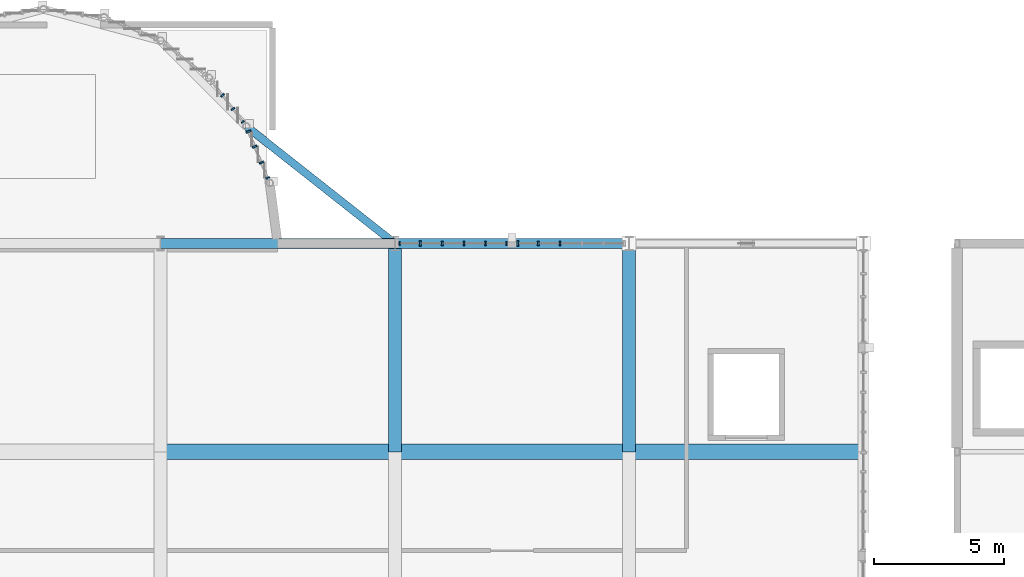
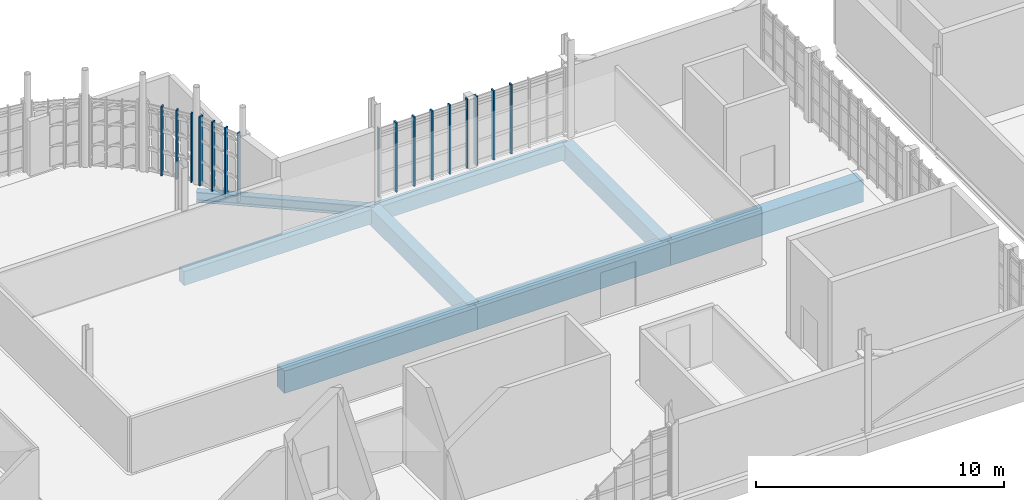
# One storey, part 25 of 128: 16 members, 8 beams, 4 elements without a shape of their own.
"""IFC4 building model written with IfcOpenShell, lengths in metres."""

from ifc_helpers import new_model, si_unit, direction, frame, origin, origin_2d, place, context, subcontext, project, spatial, rectangle, i_section, extrude, material, material_profile, profile_set, type_object, element, aggregate, save


model = new_model("IFC4")

# Units and contexts
model_context = context("Model", 3, precision=1e-05, world=origin(), true_north=direction((0.0, 1.0)))
body_context = subcontext(model_context, "Body", "Model", "MODEL_VIEW")
ifc_project = project(units=[si_unit("LENGTHUNIT", "METRE"), si_unit("AREAUNIT", "SQUARE_METRE"), si_unit("VOLUMEUNIT", "CUBIC_METRE"), si_unit("PLANEANGLEUNIT", "RADIAN"), si_unit("MASSUNIT", "GRAM", prefix="KILO")], contexts=[model_context])

# Site, building, storey
site_placement = place(None, origin())
site = spatial("IfcSite", under=ifc_project, at=site_placement, CompositionType="ELEMENT")
building_placement = place(site_placement, origin())
building = spatial("IfcBuilding", under=site, at=building_placement, Name="Serraforn Aerial Cableway Station", CompositionType="ELEMENT")
storey_placement = place(building_placement, frame((0.0, 0.0, 9.0)))
storey = spatial("IfcBuildingStorey", under=building, at=storey_placement, Name="L02", CompositionType="ELEMENT", Elevation=9.0)

# Beams
ifc_material_1 = material(Name="Concrete C35/45", Category="concrete")
ifc_material_profile_1 = material_profile(ifc_material_1, rectangle(XDim=0.39990234375, YDim=0.699951171875, at=origin_2d()), Name="RC 400x700")
ifc_profile_set_1 = profile_set([ifc_material_profile_1], Name="Concrete C35/45")
beam_type_1 = type_object("IfcBeamType", Name="BM-RC-400x700E", PredefinedType="SPANDREL", material=ifc_profile_set_1)
for number, where, z_axis, x_axis, name in (
    (1, (63.60009765625, 42.0, -0.7099609375), (1.0, 0.0, 0.0), (0.0, 1.0, 0.0), "Grid Girder X CV L02 Y4-5"),
    (2, (72.60009765625, 42.0, -0.7099609375), (1.0, 0.0, 0.0), (0.0, 1.0, 0.0), "Grid Girder X CV L02 Y4-6"),
):
    element("IfcBeam", number, at=place(storey_placement, frame(where, z_axis=z_axis, x_axis=x_axis)), inside=storey, type_object=beam_type_1, Name=name, PredefinedType="SPANDREL", context=body_context, shape_type="SweptSolid", body=[
        extrude(rectangle(XDim=0.39990234375, YDim=0.699951171875, at=origin_2d()), origin(), (0.0, 0.0, 1.0), 9.0),
    ])
ifc_material_profile_2 = material_profile(ifc_material_1, rectangle(XDim=0.5, YDim=0.85009765625, at=origin_2d()), Name="RC 500x850")
ifc_profile_set_2 = profile_set([ifc_material_profile_2], Name="Concrete C35/45")
beam_type_2 = type_object("IfcBeamType", Name="BM-RC-500x850", PredefinedType="USERDEFINED", material=ifc_profile_set_2)
for number, where, z_axis, x_axis, name in (
    (3, (72.60009765625, 34.0, -0.784912109375), (0.0, 1.0, 0.0), (-1.0, 0.0, 0.0), "Grid Girder Y CV L02 X6-3"),
    (4, (81.60009765625, 34.0, -0.784912109375), (0.0, 1.0, 0.0), (-1.0, 0.0, 0.0), "Grid Girder Y CV L02 X7-3"),
):
    element("IfcBeam", number, at=place(storey_placement, frame(where, z_axis=z_axis, x_axis=x_axis)), inside=storey, type_object=beam_type_2, Name=name, ObjectType="GIRDER", PredefinedType="USERDEFINED", context=body_context, shape_type="SweptSolid", body=[
        extrude(rectangle(XDim=0.5, YDim=0.85009765625, at=origin_2d()), origin(), (0.0, 0.0, 1.0), 8.0),
    ])
ifc_material_2 = material(Name="Concrete C40/50", Category="concrete")
ifc_material_profile_3 = material_profile(ifc_material_2, rectangle(XDim=0.60009765625, YDim=1.10009765625, at=origin_2d()), Name="RC 600x1100")
ifc_profile_set_3 = profile_set([ifc_material_profile_3], Name="Concrete C40/50")
beam_type_3 = type_object("IfcBeamType", Name="BM-RC-600x1100", PredefinedType="USERDEFINED", material=ifc_profile_set_3)
for number, where, z_axis, x_axis, name in (
    (5, (63.60009765625, 34.0, -0.909912109375), (1.0, 0.0, 0.0), (0.0, 1.0, 0.0), "Grid Girder X CV L02 Y3-5"),
    (6, (72.60009765625, 34.0, -0.909912109375), (1.0, 0.0, 0.0), (0.0, 1.0, 0.0), "Grid Girder X CV L02 Y3-6"),
    (7, (81.60009765625, 34.0, -0.909912109375), (1.0, 0.0, 0.0), (0.0, 1.0, 0.0), "Grid Girder X CV L02 Y3-7"),
):
    element("IfcBeam", number, at=place(storey_placement, frame(where, z_axis=z_axis, x_axis=x_axis)), inside=storey, type_object=beam_type_3, Name=name, ObjectType="GIRDER", PredefinedType="USERDEFINED", context=body_context, shape_type="SweptSolid", body=[
        extrude(rectangle(XDim=0.60009765625, YDim=1.10009765625, at=origin_2d()), origin(), (0.0, 0.0, 1.0), 9.0),
    ])
ifc_material_3 = material(Name="Steel S355J2", Category="steel")
ifc_material_profile_4 = material_profile(ifc_material_3, i_section(OverallWidth=0.300048828125, OverallDepth=0.5, WebThickness=0.011962890625, FlangeThickness=0.02294921875, FilletRadius=0.027099609375, at=origin_2d()), Name="HEA 500")
ifc_profile_set_4 = profile_set([ifc_material_profile_4], Name="Steel S355J2")
beam_type_4 = type_object("IfcBeamType", Name="BM-ST-HEA500", PredefinedType="USERDEFINED", material=ifc_profile_set_4)
beam_placement = place(storey_placement, frame((66.894287109375, 46.5, -0.590087890625), z_axis=(0.785189683878, -0.619255327253, 0.0), x_axis=(0.619255327253, 0.785189683878, 0.0)))
element("IfcBeam", 8, at=beam_placement, inside=storey, type_object=beam_type_4, Name="Apse Ring Girder L02-6", ObjectType="GIRDER", PredefinedType="USERDEFINED", context=body_context, shape_type="SweptSolid", body=[
    extrude(i_section(OverallWidth=0.300048828125, OverallDepth=0.5, WebThickness=0.011962890625, FlangeThickness=0.02294921875, FilletRadius=0.027099609375, at=origin_2d()), origin(), (0.0, 0.0, 1.0), 7.266845703125),
])

# Curtain wall, members
ifc_material_4 = material(Name="Anodised bronze unitised curtain wall")
curtain_wall_type_1 = type_object("IfcCurtainWallType", Name="CW-SYS-26", PredefinedType="USERDEFINED", material=ifc_material_4)
curtain_wall_1_placement = place(storey_placement, origin())
curtain_wall_1 = element("IfcCurtainWall", 9, at=curtain_wall_1_placement, inside=storey, type_object=curtain_wall_type_1, Name="Unitised Curtain Wall CW-CV-L02-N6B", ObjectType="UNITISED CURTAIN WALL", PredefinedType="USERDEFINED")
ifc_material_5 = material(Name="Anodised bronze extruded aluminium", Category="aluminium")
ifc_material_profile_5 = material_profile(ifc_material_5, rectangle(XDim=0.054931640625, YDim=0.139892578125, at=origin_2d()), Name="CW MULLION 55x140")
ifc_profile_set_5 = profile_set([ifc_material_profile_5], Name="Anodised bronze extruded aluminium")
member_type_1 = type_object("IfcMemberType", Name="CW-MUL-1", PredefinedType="MULLION", material=ifc_profile_set_5)
member_1_placement = place(storey_placement, frame((76.892578125, 42.0, 0.0), z_axis=(0.0, 0.0, 1.0), x_axis=(-1.0, 0.0, 0.0)))
member_1 = element("IfcMember", 10, at=member_1_placement, type_object=member_type_1, Name="Curtain Wall Mullion CW-CV-L02-N6B-M1", PredefinedType="MULLION", context=body_context, shape_type="SweptSolid", body=[
    extrude(rectangle(XDim=0.054931640625, YDim=0.139892578125, at=origin_2d()), origin(), (0.0, 0.0, 1.0), 3.419921875),
])
member_2_placement = place(storey_placement, frame((72.775390625, 42.0, 0.0), z_axis=(0.0, 0.0, 1.0), x_axis=(-1.0, 0.0, 0.0)))
member_2 = element("IfcMember", 11, at=member_2_placement, type_object=member_type_1, Name="Curtain Wall Mullion CW-CV-L02-N6B-M6", PredefinedType="MULLION", context=body_context, shape_type="SweptSolid", body=[
    extrude(rectangle(XDim=0.054931640625, YDim=0.139892578125, at=origin_2d()), origin(), (0.0, 0.0, 1.0), 3.419921875),
])

# Curtain wall, member
curtain_wall_type_2 = type_object("IfcCurtainWallType", Name="CW-SYS-13", PredefinedType="USERDEFINED", material=ifc_material_4)
curtain_wall_2_placement = place(storey_placement, origin())
curtain_wall_2 = element("IfcCurtainWall", 12, at=curtain_wall_2_placement, inside=storey, type_object=curtain_wall_type_2, Name="Unitised Curtain Wall CW-AP-L02-R10", ObjectType="UNITISED CURTAIN WALL", PredefinedType="USERDEFINED")
member_3_placement = place(storey_placement, frame((66.76220703125, 46.672119140625, 0.0), z_axis=(0.0, 0.0, 1.0), x_axis=(-0.608748968173, 0.793362901671, 0.0)))
member_3 = element("IfcMember", 13, at=member_3_placement, type_object=member_type_1, Name="Curtain Wall Mullion CW-AP-L02-R10-M1", PredefinedType="MULLION", context=body_context, shape_type="SweptSolid", body=[
    extrude(rectangle(XDim=0.054931640625, YDim=0.139892578125, at=origin_2d()), origin(), (0.0, 0.0, 1.0), 3.419921875),
])

# Member
ifc_material_profile_6 = material_profile(ifc_material_5, rectangle(XDim=0.06005859375, YDim=0.159912109375, at=origin_2d()), Name="CW MULLION 60x160")
ifc_profile_set_6 = profile_set([ifc_material_profile_6], Name="Anodised bronze extruded aluminium")
member_type_2 = type_object("IfcMemberType", Name="CW-MUL-2", PredefinedType="MULLION", material=ifc_profile_set_6)
member_4_placement = place(storey_placement, frame((76.085693359375, 42.0, 0.0), z_axis=(0.0, 0.0, 1.0), x_axis=(-1.0, 0.0, 0.0)))
member_4 = element("IfcMember", 14, at=member_4_placement, type_object=member_type_2, Name="Curtain Wall Mullion CW-CV-L02-N6B-M2", PredefinedType="MULLION", context=body_context, shape_type="SweptSolid", body=[
    extrude(rectangle(XDim=0.06005859375, YDim=0.159912109375, at=origin_2d()), origin(), (0.0, 0.0, 1.0), 3.419921875),
])

member_5_placement = place(storey_placement, frame((66.37890625, 47.17138671875, 0.0), z_axis=(0.0, 0.0, 1.0), x_axis=(-0.608748968173, 0.793362901671, 0.0)))
member_5 = element("IfcMember", 15, at=member_5_placement, type_object=member_type_2, Name="Curtain Wall Mullion CW-AP-L02-R10-M2", PredefinedType="MULLION", context=body_context, shape_type="SweptSolid", body=[
    extrude(rectangle(XDim=0.06005859375, YDim=0.159912109375, at=origin_2d()), origin(), (0.0, 0.0, 1.0), 3.419921875),
])

# Curtain wall, member
curtain_wall_type_3 = type_object("IfcCurtainWallType", Name="CW-SYS-14", PredefinedType="USERDEFINED", material=ifc_material_4)
curtain_wall_3_placement = place(storey_placement, origin())
curtain_wall_3 = element("IfcCurtainWall", 16, at=curtain_wall_3_placement, inside=storey, type_object=curtain_wall_type_3, Name="Unitised Curtain Wall CW-AP-L02-R11", ObjectType="UNITISED CURTAIN WALL", PredefinedType="USERDEFINED")
member_6_placement = place(storey_placement, frame((67.71435546875, 44.52001953125, 0.0), z_axis=(0.0, 0.0, 1.0), x_axis=(-0.382665829353, 0.923886823721, 0.0)))
member_6 = element("IfcMember", 17, at=member_6_placement, type_object=member_type_2, Name="Curtain Wall Mullion CW-AP-L02-R11-M1", PredefinedType="MULLION", context=body_context, shape_type="SweptSolid", body=[
    extrude(rectangle(XDim=0.06005859375, YDim=0.159912109375, at=origin_2d()), origin(), (0.0, 0.0, 1.0), 3.419921875),
])

curtain_wall_type_4 = type_object("IfcCurtainWallType", Name="CW-SYS-25", PredefinedType="USERDEFINED", material=ifc_material_4)
curtain_wall_4_placement = place(storey_placement, origin())
curtain_wall_4 = element("IfcCurtainWall", 18, at=curtain_wall_4_placement, inside=storey, type_object=curtain_wall_type_4, Name="Unitised Curtain Wall CW-CV-L02-N6A", ObjectType="UNITISED CURTAIN WALL", PredefinedType="USERDEFINED")
ifc_material_profile_7 = material_profile(ifc_material_5, rectangle(XDim=0.06494140625, YDim=0.175048828125, at=origin_2d()), Name="CW MULLION 65x175")
ifc_profile_set_7 = profile_set([ifc_material_profile_7], Name="Anodised bronze extruded aluminium")
member_type_3 = type_object("IfcMemberType", Name="CW-MUL-3", PredefinedType="MULLION", material=ifc_profile_set_7)
member_7_placement = place(storey_placement, frame((78.94873046875, 42.0, 0.0), z_axis=(0.0, 0.0, 1.0), x_axis=(-1.0, 0.0, 0.0)))
member_7 = element("IfcMember", 19, at=member_7_placement, type_object=member_type_3, Name="Curtain Wall Mullion CW-CV-L02-N6A-M4", PredefinedType="MULLION", context=body_context, shape_type="SweptSolid", body=[
    extrude(rectangle(XDim=0.06494140625, YDim=0.175048828125, at=origin_2d()), origin(), (0.0, 0.0, 1.0), 3.419921875),
])

# Member
member_8_placement = place(storey_placement, frame((75.251220703125, 42.0, 0.0), z_axis=(0.0, 0.0, 1.0), x_axis=(-1.0, 0.0, 0.0)))
member_8 = element("IfcMember", 20, at=member_8_placement, type_object=member_type_3, Name="Curtain Wall Mullion CW-CV-L02-N6B-M3", PredefinedType="MULLION", context=body_context, shape_type="SweptSolid", body=[
    extrude(rectangle(XDim=0.06494140625, YDim=0.175048828125, at=origin_2d()), origin(), (0.0, 0.0, 1.0), 3.419921875),
])

member_9_placement = place(storey_placement, frame((65.979248046875, 47.692626953125, 0.0), z_axis=(0.0, 0.0, 1.0), x_axis=(-0.608748968173, 0.793362901671, 0.0)))
member_9 = element("IfcMember", 21, at=member_9_placement, type_object=member_type_3, Name="Curtain Wall Mullion CW-AP-L02-R10-M3", PredefinedType="MULLION", context=body_context, shape_type="SweptSolid", body=[
    extrude(rectangle(XDim=0.06494140625, YDim=0.175048828125, at=origin_2d()), origin(), (0.0, 0.0, 1.0), 3.419921875),
])

aggregate(curtain_wall_2, [member_3, member_5, member_9])

member_10_placement = place(storey_placement, frame((67.47119140625, 45.107177734375, 0.0), z_axis=(0.0, 0.0, 1.0), x_axis=(-0.382665829353, 0.923886823721, 0.0)))
member_10 = element("IfcMember", 22, at=member_10_placement, type_object=member_type_3, Name="Curtain Wall Mullion CW-AP-L02-R11-M2", PredefinedType="MULLION", context=body_context, shape_type="SweptSolid", body=[
    extrude(rectangle(XDim=0.06494140625, YDim=0.175048828125, at=origin_2d()), origin(), (0.0, 0.0, 1.0), 3.419921875),
])

ifc_material_profile_8 = material_profile(ifc_material_5, rectangle(XDim=0.070068359375, YDim=0.18994140625, at=origin_2d()), Name="CW MULLION 70x190")
ifc_profile_set_8 = profile_set([ifc_material_profile_8], Name="Anodised bronze extruded aluminium")
member_type_4 = type_object("IfcMemberType", Name="CW-MUL-4", PredefinedType="MULLION", material=ifc_profile_set_8)
member_11_placement = place(storey_placement, frame((78.114501953125, 42.0, 0.0), z_axis=(0.0, 0.0, 1.0), x_axis=(-1.0, 0.0, 0.0)))
member_11 = element("IfcMember", 23, at=member_11_placement, type_object=member_type_4, Name="Curtain Wall Mullion CW-CV-L02-N6A-M5", PredefinedType="MULLION", context=body_context, shape_type="SweptSolid", body=[
    extrude(rectangle(XDim=0.070068359375, YDim=0.18994140625, at=origin_2d()), origin(), (0.0, 0.0, 1.0), 3.419921875),
])

member_12_placement = place(storey_placement, frame((74.416748046875, 42.0, 0.0), z_axis=(0.0, 0.0, 1.0), x_axis=(-1.0, 0.0, 0.0)))
member_12 = element("IfcMember", 24, at=member_12_placement, type_object=member_type_4, Name="Curtain Wall Mullion CW-CV-L02-N6B-M4", PredefinedType="MULLION", context=body_context, shape_type="SweptSolid", body=[
    extrude(rectangle(XDim=0.070068359375, YDim=0.18994140625, at=origin_2d()), origin(), (0.0, 0.0, 1.0), 3.419921875),
])

member_13_placement = place(storey_placement, frame((67.21630859375, 45.72216796875, 0.0), z_axis=(0.0, 0.0, 1.0), x_axis=(-0.382665829353, 0.923886823721, 0.0)))
member_13 = element("IfcMember", 25, at=member_13_placement, type_object=member_type_4, Name="Curtain Wall Mullion CW-AP-L02-R11-M3", PredefinedType="MULLION", context=body_context, shape_type="SweptSolid", body=[
    extrude(rectangle(XDim=0.070068359375, YDim=0.18994140625, at=origin_2d()), origin(), (0.0, 0.0, 1.0), 3.419921875),
])

ifc_material_profile_9 = material_profile(ifc_material_5, rectangle(XDim=0.074951171875, YDim=0.199951171875, at=origin_2d()), Name="CW MULLION 75x200")
ifc_profile_set_9 = profile_set([ifc_material_profile_9], Name="Anodised bronze extruded aluminium")
member_type_5 = type_object("IfcMemberType", Name="CW-MUL-5", PredefinedType="MULLION", material=ifc_profile_set_9)
member_14_placement = place(storey_placement, frame((77.3173828125, 42.0, 0.0), z_axis=(0.0, 0.0, 1.0), x_axis=(-1.0, 0.0, 0.0)))
member_14 = element("IfcMember", 26, at=member_14_placement, type_object=member_type_5, Name="Curtain Wall Mullion CW-CV-L02-N6A-M6", PredefinedType="MULLION", context=body_context, shape_type="SweptSolid", body=[
    extrude(rectangle(XDim=0.074951171875, YDim=0.199951171875, at=origin_2d()), origin(), (0.0, 0.0, 1.0), 3.419921875),
])

aggregate(curtain_wall_4, [member_7, member_11, member_14])

member_15_placement = place(storey_placement, frame((73.58251953125, 42.0, 0.0), z_axis=(0.0, 0.0, 1.0), x_axis=(-1.0, 0.0, 0.0)))
member_15 = element("IfcMember", 27, at=member_15_placement, type_object=member_type_5, Name="Curtain Wall Mullion CW-CV-L02-N6B-M5", PredefinedType="MULLION", context=body_context, shape_type="SweptSolid", body=[
    extrude(rectangle(XDim=0.074951171875, YDim=0.199951171875, at=origin_2d()), origin(), (0.0, 0.0, 1.0), 3.419921875),
])

aggregate(curtain_wall_1, [member_1, member_4, member_8, member_12, member_15, member_2])

member_16_placement = place(storey_placement, frame((66.97607421875, 46.302490234375, 0.0), z_axis=(0.0, 0.0, 1.0), x_axis=(-0.382665829353, 0.923886823721, 0.0)))
member_16 = element("IfcMember", 28, at=member_16_placement, type_object=member_type_5, Name="Curtain Wall Mullion CW-AP-L02-R11-M4", PredefinedType="MULLION", context=body_context, shape_type="SweptSolid", body=[
    extrude(rectangle(XDim=0.074951171875, YDim=0.199951171875, at=origin_2d()), origin(), (0.0, 0.0, 1.0), 3.419921875),
])

aggregate(curtain_wall_3, [member_6, member_10, member_13, member_16])

save(model, "model.ifc")
